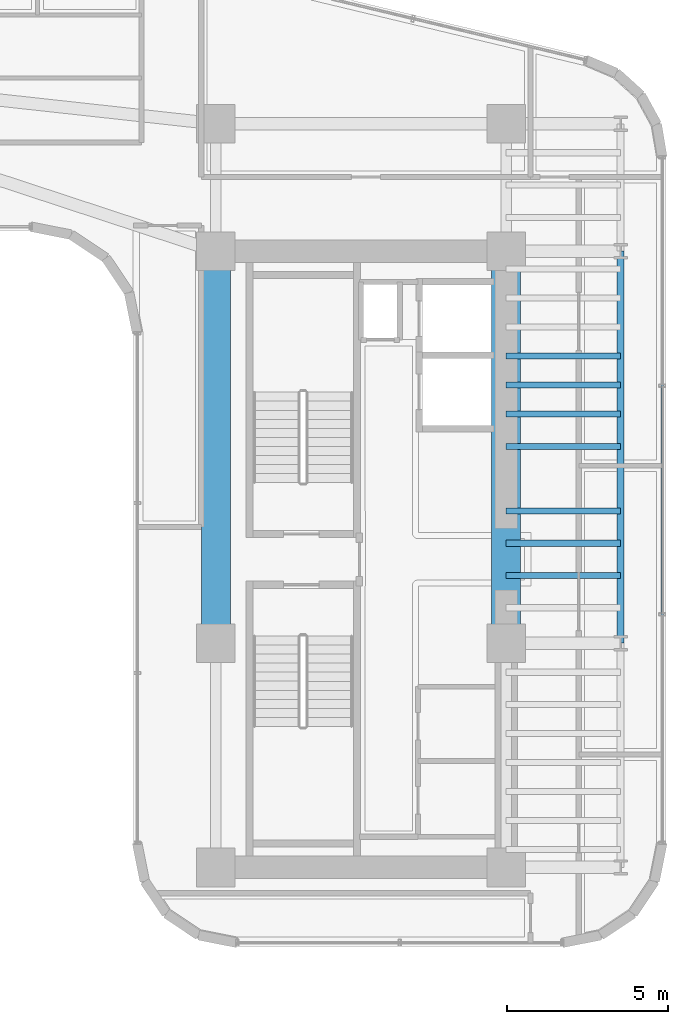
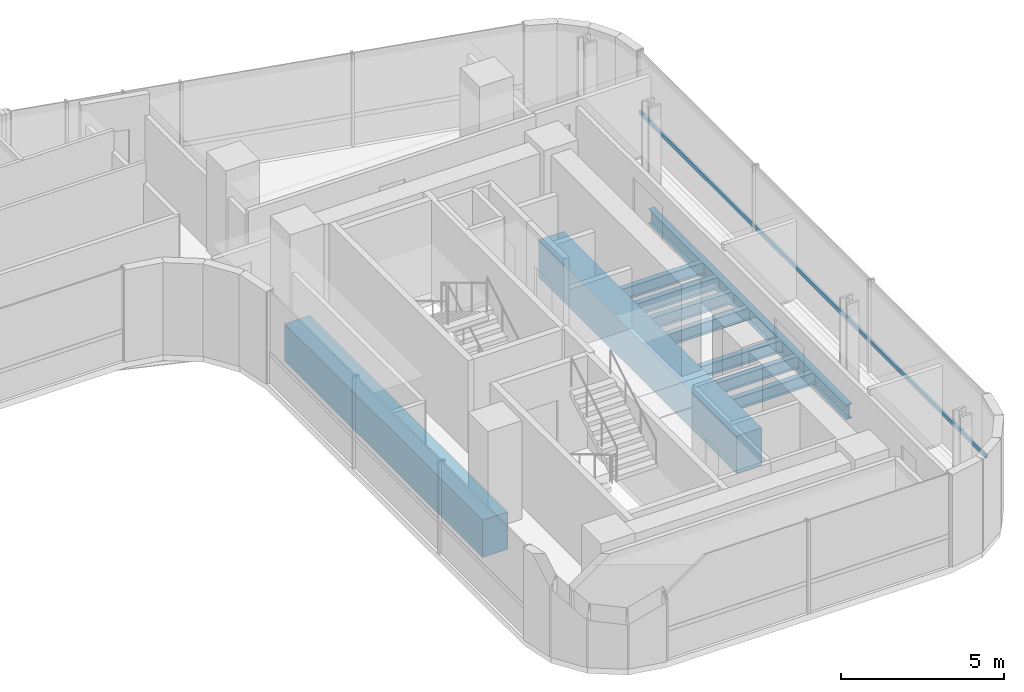
# One storey, part 16 of 36: 10 beams, 1 member, 1 element without a shape of its own.
"""IFC4 building model written with IfcOpenShell, lengths in metres."""

import ifcopenshell
import ifcopenshell.guid

model = None  # the IFC model being written
_history = None  # IfcOwnerHistory: only IFC2X3 demands one
_inside = {}  # id of a spatial element -> (the spatial element, [elements in it])
_under = {}  # id of a project, library or spatial element -> (it, [spatial elements below it])
_declared = {}  # id of a project -> (the project, [libraries it declares])
_typed = {}  # id of a type object -> (the type object, [elements of that type])
_made_of = {}  # id of a material, layer set ... -> (it, [elements and type objects made of it])


def new_model(schema):
    """Start an empty IFC model of exactly this schema.

    Asked for "IFC4X3", IfcOpenShell would pick the latest addendum, in which some entities
    have other attributes; the version numbers below select the first issue.
    IFC2X3 requires an IfcOwnerHistory on every rooted entity: one is made here for all.
    """
    global model, _history
    if schema == "IFC4X3":
        model = ifcopenshell.file(schema_version=(4, 3, 0, 0))
    else:
        model = ifcopenshell.file(schema=schema)
    _inside.clear()
    _under.clear()
    _declared.clear()
    _typed.clear()
    _made_of.clear()
    _history = None
    if model.schema == "IFC2X3":
        org = make("IfcOrganization", Name="unknown")
        user = make(
            "IfcPersonAndOrganization",
            ThePerson=make("IfcPerson", FamilyName="unknown"),
            TheOrganization=org,
        )
        app = make(
            "IfcApplication",
            ApplicationDeveloper=org,
            Version="unknown",
            ApplicationFullName="unknown",
            ApplicationIdentifier="unknown",
        )
        _history = make(
            "IfcOwnerHistory",
            OwningUser=user,
            OwningApplication=app,
            ChangeAction="ADDED",
            CreationDate=0,
        )
    return model


def make(cls, **values):
    """One entity of the class cls with the attributes given. An attribute that is None is left unset."""
    return model.create_entity(
        cls, **{name: value for name, value in values.items() if value is not None}
    )


def rooted(cls, **values):
    """An entity with a GlobalId (a new one), such as an element, a storey or a relation."""
    return make(cls, GlobalId=ifcopenshell.guid.new(), OwnerHistory=_history, **values)


def si_unit(unit_type, name, prefix=None):
    """IfcSIUnit, for example si_unit("LENGTHUNIT", "METRE", prefix="MILLI")."""
    return make("IfcSIUnit", UnitType=unit_type, Prefix=prefix, Name=name)


def assignment(units):
    """IfcUnitAssignment: the units of a project."""
    return None if units is None else make("IfcUnitAssignment", Units=units)


def point(xyz):
    """IfcCartesianPoint."""
    return None if xyz is None else make("IfcCartesianPoint", Coordinates=xyz)


def direction(xyz):
    """IfcDirection."""
    return None if xyz is None else make("IfcDirection", DirectionRatios=xyz)


def frame(location, z_axis=None, x_axis=None):
    """IfcAxis2Placement3D, a coordinate frame: its origin and axes. An axis left out is left unset."""
    return make(
        "IfcAxis2Placement3D",
        Location=point(location),
        Axis=direction(z_axis),
        RefDirection=direction(x_axis),
    )


def frame_2d(location, x_axis=None):
    """IfcAxis2Placement2D, a coordinate frame in the plane: its origin and x axis."""
    return make(
        "IfcAxis2Placement2D", Location=point(location), RefDirection=direction(x_axis)
    )


def origin():
    """The frame at (0, 0, 0) with its axes left unset."""
    return frame((0.0, 0.0, 0.0))


def origin_2d():
    """The frame at (0, 0) in the plane with its x axis left unset."""
    return frame_2d((0.0, 0.0))


def place(relative_to, where):
    """IfcLocalPlacement: puts the frame where relative to a parent placement (None: the world)."""
    return make(
        "IfcLocalPlacement", PlacementRelTo=relative_to, RelativePlacement=where
    )


def context(
    kind, dimensions, precision=None, world=None, true_north=None, identifier=None
):
    """IfcGeometricRepresentationContext, for example the 3D "Model" context."""
    return make(
        "IfcGeometricRepresentationContext",
        ContextIdentifier=identifier,
        ContextType=kind,
        CoordinateSpaceDimension=dimensions,
        Precision=precision,
        WorldCoordinateSystem=world,
        TrueNorth=true_north,
    )


def subcontext(parent, identifier, kind, view, scale=None):
    """IfcGeometricRepresentationSubContext, for example "Body" below "Model"."""
    return make(
        "IfcGeometricRepresentationSubContext",
        ContextIdentifier=identifier,
        ContextType=kind,
        ParentContext=parent,
        TargetScale=scale,
        TargetView=view,
    )


def project(units=None, contexts=None):
    """IfcProject with its units and contexts."""
    return rooted(
        "IfcProject",
        Name="project",
        RepresentationContexts=contexts,
        UnitsInContext=assignment(units),
    )


def spatial(cls, under=None, at=None, **own):
    """A site, building, storey or space (cls), placed at a placement, below another one or the project."""
    s = rooted(cls, ObjectPlacement=at, **own)
    if under is not None:
        _under.setdefault(under.id(), (under, []))[1].append(s)
    return s


def profile(cls, at=None, kind="AREA", **sizes):
    """A parametric profile (cls). Its sizes go by their IFC names, for example OverallWidth=200.0."""
    return make(cls, ProfileType=kind, Position=at, **sizes)


def rectangle(**sizes):
    """IfcRectangleProfileDef."""
    return profile("IfcRectangleProfileDef", **sizes)


def hollow_rectangle(**sizes):
    """IfcRectangleHollowProfileDef."""
    return profile("IfcRectangleHollowProfileDef", **sizes)


def i_section(**sizes):
    """IfcIShapeProfileDef."""
    return profile("IfcIShapeProfileDef", **sizes)


def extrude(swept, where, along, depth):
    """IfcExtrudedAreaSolid: the profile swept, set in the frame where, extruded along a direction by depth."""
    return make(
        "IfcExtrudedAreaSolid",
        SweptArea=swept,
        Position=where,
        ExtrudedDirection=direction(along),
        Depth=depth,
    )


def shape(context_of_items, identifier, shape_type, items):
    """IfcShapeRepresentation: the items that make up one representation, for example the "Body"."""
    return make(
        "IfcShapeRepresentation",
        ContextOfItems=context_of_items,
        RepresentationIdentifier=identifier,
        RepresentationType=shape_type,
        Items=items,
    )


def source(mapping_origin, context_of_items, identifier, shape_type, items):
    """IfcRepresentationMap: a shape defined once, which mapped items show again and again."""
    return make(
        "IfcRepresentationMap",
        MappingOrigin=mapping_origin,
        MappedRepresentation=shape(context_of_items, identifier, shape_type, items),
    )


def transform(
    local_origin,
    x_axis=None,
    y_axis=None,
    z_axis=None,
    scale=None,
    scale2=None,
    scale3=None,
    uniform=True,
):
    """IfcCartesianTransformationOperator3D, or its non-uniform kind. x_axis, y_axis, z_axis: its Axis1, 2, 3."""
    if uniform:
        return make(
            "IfcCartesianTransformationOperator3D",
            Axis1=direction(x_axis),
            Axis2=direction(y_axis),
            LocalOrigin=point(local_origin),
            Scale=scale,
            Axis3=direction(z_axis),
        )
    return make(
        "IfcCartesianTransformationOperator3DnonUniform",
        Axis1=direction(x_axis),
        Axis2=direction(y_axis),
        LocalOrigin=point(local_origin),
        Scale=scale,
        Axis3=direction(z_axis),
        Scale2=scale2,
        Scale3=scale3,
    )


def mapped(mapping_source, mapping_target):
    """IfcMappedItem: shows the shape of a source again, moved by a transform."""
    return make(
        "IfcMappedItem", MappingSource=mapping_source, MappingTarget=mapping_target
    )


def material(Name=None, Category=None):
    """IfcMaterial."""
    return make("IfcMaterial", Name=Name, Category=Category)


def material_profile(
    of_material, cross_section, Name=None, Category=None, Priority=None
):
    """IfcMaterialProfile: a cross section and its material."""
    return make(
        "IfcMaterialProfile",
        Name=Name,
        Material=of_material,
        Profile=cross_section,
        Priority=Priority,
        Category=Category,
    )


def profile_set(profiles, Name=None, composite=None):
    """IfcMaterialProfileSet."""
    return make(
        "IfcMaterialProfileSet",
        Name=Name,
        MaterialProfiles=profiles,
        CompositeProfile=composite,
    )


def made_of(thing, what):
    """Note that an element or type object is made of a material, layer set ...; save() writes the relation."""
    if what is not None:
        _made_of.setdefault(what.id(), (what, []))[1].append(thing)
    return thing


def type_object(cls, material=None, **own):
    """A type object (cls), such as IfcWallType, which elements share."""
    return made_of(rooted(cls, **own), material)


def element(
    cls,
    number,
    at=None,
    inside=None,
    cuts=None,
    type_object=None,
    material=None,
    context=None,
    identifier="Body",
    shape_type=None,
    held_by="IfcProductDefinitionShape",
    body=None,
    shapes=None,
    **own,
):
    """One element of the class cls, such as IfcWall. Its Tag is "e" and its number.

    at: its placement. inside: the storey or other place that contains it. cuts: it is an
    opening in that element (IfcRelVoidsElement). A single representation is given by context,
    identifier, shape_type and body (its items); several are given by shapes. held_by: the class
    of the entity that holds the representations. save() writes the other relations.
    """
    e = rooted(cls, Tag="e%d" % number, ObjectPlacement=at, **own)
    if body is not None:
        shapes = [shape(context, identifier, shape_type, body)]
    if shapes is not None:
        e.Representation = make(held_by, Representations=shapes)
    if inside is not None:
        _inside.setdefault(inside.id(), (inside, []))[1].append(e)
    if cuts is not None:
        rooted(
            "IfcRelVoidsElement", RelatingBuildingElement=cuts, RelatedOpeningElement=e
        )
    if type_object is not None:
        _typed.setdefault(type_object.id(), (type_object, []))[1].append(e)
    return made_of(e, material)


def aggregate(whole, parts):
    """IfcRelAggregates: a whole, such as a stair, and the parts it consists of."""
    return rooted("IfcRelAggregates", RelatingObject=whole, RelatedObjects=parts)


def save(model, path):
    """Write the relations noted so far, then the file.

    IfcRelAggregates (storeys below a building ...), IfcRelContainedInSpatialStructure (elements
    in a storey), IfcRelDefinesByType, IfcRelAssociatesMaterial and IfcRelDeclares: one each for
    every whole, place, type object, material and project.
    """
    for whole, parts in _under.values():
        aggregate(whole, parts)
    for where, things in _inside.values():
        rooted(
            "IfcRelContainedInSpatialStructure",
            RelatedElements=things,
            RelatingStructure=where,
        )
    for kind, things in _typed.values():
        rooted("IfcRelDefinesByType", RelatedObjects=things, RelatingType=kind)
    for what, things in _made_of.values():
        rooted("IfcRelAssociatesMaterial", RelatedObjects=things, RelatingMaterial=what)
    for by, libraries in _declared.values():
        rooted("IfcRelDeclares", RelatingContext=by, RelatedDefinitions=libraries)
    model.write(path)


model = new_model("IFC4")

# Units and contexts
model_context = context("Model", 3, precision=1e-05, world=origin(), true_north=direction((0.0, 1.0)))
body_context = subcontext(model_context, "Body", "Model", "MODEL_VIEW")
ifc_project = project(units=[si_unit("LENGTHUNIT", "METRE"), si_unit("AREAUNIT", "SQUARE_METRE"), si_unit("VOLUMEUNIT", "CUBIC_METRE"), si_unit("PLANEANGLEUNIT", "RADIAN"), si_unit("MASSUNIT", "GRAM", prefix="KILO")], contexts=[model_context])

# Site, building, storey
site_placement = place(None, origin())
site = spatial("IfcSite", under=ifc_project, at=site_placement, CompositionType="ELEMENT")
building_placement = place(site_placement, origin())
building = spatial("IfcBuilding", under=site, at=building_placement, Name="Valdorenza Pilgrim Sanctuary Tower", CompositionType="ELEMENT")
storey_placement = place(building_placement, frame((0.0, 0.0, 109.39990234375)))
storey = spatial("IfcBuildingStorey", under=building, at=storey_placement, Name="L27", CompositionType="ELEMENT", Elevation=109.39990234375)

# Beams
ifc_material_1 = material(Name="Concrete C60/75", Category="concrete")
ifc_material_profile_1 = material_profile(ifc_material_1, rectangle(XDim=0.89990234375, YDim=1.39990234375, at=origin_2d()), Name="RC 1400x900")
ifc_profile_set_1 = profile_set([ifc_material_profile_1], Name="Concrete C60/75")
beam_type_1 = type_object("IfcBeamType", Name="STR-BM-LNT-1400", PredefinedType="LINTEL", material=ifc_profile_set_1)
shared_shape_1 = source(origin(), body_context, "Body", "SweptSolid", [
    extrude(rectangle(XDim=0.89990234375, YDim=1.39990234375, at=origin_2d()), origin(), (0.0, 0.0, 1.0), 12.150146484375),
])
for number, where, z_axis, x_axis, name in (
    (1, (15.85009765625, -2.60009765625, -0.739990234375), (0.0, 1.0, 0.0), (-1.0, 0.0, 0.0), "L27 Core B West Coupling Lintel Girder"),
    (2, (24.85009765625, -2.60009765625, -0.739990234375), (0.0, 1.0, 0.0), (-1.0, 0.0, 0.0), "L27 Core B East Coupling Lintel Girder"),
):
    element("IfcBeam", number, at=place(storey_placement, frame(where, z_axis=z_axis, x_axis=x_axis)), inside=storey, type_object=beam_type_1, Name=name, PredefinedType="LINTEL", context=body_context, shape_type="MappedRepresentation", body=[
        mapped(shared_shape_1, transform((0.0, 0.0, 0.0), x_axis=(1.0, 0.0, 0.0), y_axis=(0.0, 1.0, 0.0), z_axis=(0.0, 0.0, 1.0), scale=1.0)),
    ])
ifc_material_2 = material(Name="Steel ASTM A992 Grade 50", Category="steel")
ifc_material_profile_2 = material_profile(ifc_material_2, i_section(OverallWidth=0.214111328125, OverallDepth=0.549072265625, WebThickness=0.0146484375, FlangeThickness=0.023681640625, at=origin_2d()), Name="W21X93")
ifc_profile_set_2 = profile_set([ifc_material_profile_2], Name="Steel ASTM A992 Grade 50")
beam_type_2 = type_object("IfcBeamType", Name="STR-BM-SPN-W21A", PredefinedType="SPANDREL", material=ifc_profile_set_2)
shared_shape_2 = source(origin(), body_context, "Body", "SweptSolid", [
    extrude(i_section(OverallWidth=0.214111328125, OverallDepth=0.549072265625, WebThickness=0.0146484375, FlangeThickness=0.023681640625, at=origin_2d()), origin(), (0.0, 0.0, 1.0), 12.150146484375),
])
beam_placement = place(storey_placement, frame((28.39990234375, -2.60009765625, -0.514404296875), z_axis=(0.0, 1.0, 0.0), x_axis=(-1.0, 0.0, 0.0)))
element("IfcBeam", 3, at=beam_placement, inside=storey, type_object=beam_type_2, Name="L27 Spandrel Beam WB-E-M0N1", PredefinedType="SPANDREL", context=body_context, shape_type="MappedRepresentation", body=[
    mapped(shared_shape_2, transform((0.0, 0.0, 0.0), x_axis=(1.0, 0.0, 0.0), y_axis=(0.0, 1.0, 0.0), z_axis=(0.0, 0.0, 1.0), scale=1.0)),
])
ifc_material_profile_3 = material_profile(ifc_material_2, i_section(OverallWidth=0.19091796875, OverallDepth=0.45703125, WebThickness=0.009033203125, FlangeThickness=0.014404296875, at=origin_2d()), Name="W18X50")
ifc_profile_set_3 = profile_set([ifc_material_profile_3], Name="Steel ASTM A992 Grade 50")
beam_type_3 = type_object("IfcBeamType", Name="STR-BM-JST-W18B", PredefinedType="JOIST", material=ifc_profile_set_3)
shared_shape_3 = source(origin(), body_context, "Body", "SweptSolid", [
    extrude(i_section(OverallWidth=0.19091796875, OverallDepth=0.45703125, WebThickness=0.009033203125, FlangeThickness=0.014404296875, at=origin_2d()), origin(), (0.0, 0.0, 1.0), 3.5498046875),
])
for number, where, z_axis, x_axis, name in (
    (4, (24.85009765625, -0.5, -0.468505859375), (1.0, 0.0, 0.0), (0.0, 1.0, 0.0), "L27 Composite Floor Joist JST-WB-9"),
    (5, (24.85009765625, 0.5, -0.468505859375), (1.0, 0.0, 0.0), (0.0, 1.0, 0.0), "L27 Composite Floor Joist JST-WB-10"),
    (6, (24.85009765625, 1.5, -0.468505859375), (1.0, 0.0, 0.0), (0.0, 1.0, 0.0), "L27 Composite Floor Joist JST-WB-11"),
    (7, (24.85009765625, 3.5, -0.468505859375), (1.0, 0.0, 0.0), (0.0, 1.0, 0.0), "L27 Composite Floor Joist JST-WB-12"),
    (8, (24.85009765625, 4.5, -0.468505859375), (1.0, 0.0, 0.0), (0.0, 1.0, 0.0), "L27 Composite Floor Joist JST-WB-13"),
    (9, (24.85009765625, 5.39990234375, -0.468505859375), (1.0, 0.0, 0.0), (0.0, 1.0, 0.0), "L27 Composite Floor Joist JST-WB-14"),
    (10, (24.85009765625, 6.300048828125, -0.468505859375), (1.0, 0.0, 0.0), (0.0, 1.0, 0.0), "L27 Composite Floor Joist JST-WB-15"),
):
    element("IfcBeam", number, at=place(storey_placement, frame(where, z_axis=z_axis, x_axis=x_axis)), inside=storey, type_object=beam_type_3, Name=name, PredefinedType="JOIST", context=body_context, shape_type="MappedRepresentation", body=[
        mapped(shared_shape_3, transform((0.0, 0.0, 0.0), x_axis=(1.0, 0.0, 0.0), y_axis=(0.0, 1.0, 0.0), z_axis=(0.0, 0.0, 1.0), scale=1.0)),
    ])

# Curtain wall, member
ifc_material_3 = material(Name="Curtain-wall IGU glazing", Category="glass")
curtain_wall_type = type_object("IfcCurtainWallType", Name="CW-SYS-03", PredefinedType="NOTDEFINED", material=ifc_material_3)
curtain_wall_placement = place(storey_placement, origin())
curtain_wall = element("IfcCurtainWall", 11, at=curtain_wall_placement, inside=storey, type_object=curtain_wall_type, Name="L27 Curtain Wall CW-L27-1-21", PredefinedType="NOTDEFINED")
ifc_material_4 = material(Name="Anodised aluminium AW-6060", Category="aluminium")
ifc_material_profile_4 = material_profile(ifc_material_4, hollow_rectangle(XDim=0.074951171875, YDim=0.159912109375, WallThickness=0.00390625, at=origin_2d()), Name="ALU-T 160x75x4")
ifc_profile_set_4 = profile_set([ifc_material_profile_4], Name="Anodised aluminium AW-6060")
member_type = type_object("IfcMemberType", Name="CW-TRN-03", PredefinedType="USERDEFINED", material=ifc_profile_set_4)
shared_shape_4 = source(origin(), body_context, "Body", "SweptSolid", [
    extrude(hollow_rectangle(XDim=0.074951171875, YDim=0.159912109375, WallThickness=0.00390625, at=origin_2d()), origin(), (0.0, 0.0, 1.0), 21.255615234375),
])
member_placement = place(storey_placement, frame((29.68994140625, 12.46630859375, 1.1201171875), z_axis=(0.0, -1.0, 0.0), x_axis=(1.0, 0.0, 0.0)))
member = element("IfcMember", 12, at=member_placement, type_object=member_type, Name="CW-L27-1-21 Transom 1", ObjectType="TRANSOM", PredefinedType="USERDEFINED", context=body_context, shape_type="MappedRepresentation", body=[
    mapped(shared_shape_4, transform((0.0, 0.0, 0.0), x_axis=(1.0, 0.0, 0.0), y_axis=(0.0, 1.0, 0.0), z_axis=(0.0, 0.0, 1.0), scale=1.0)),
])
aggregate(curtain_wall, [member])

save(model, "model.ifc")
